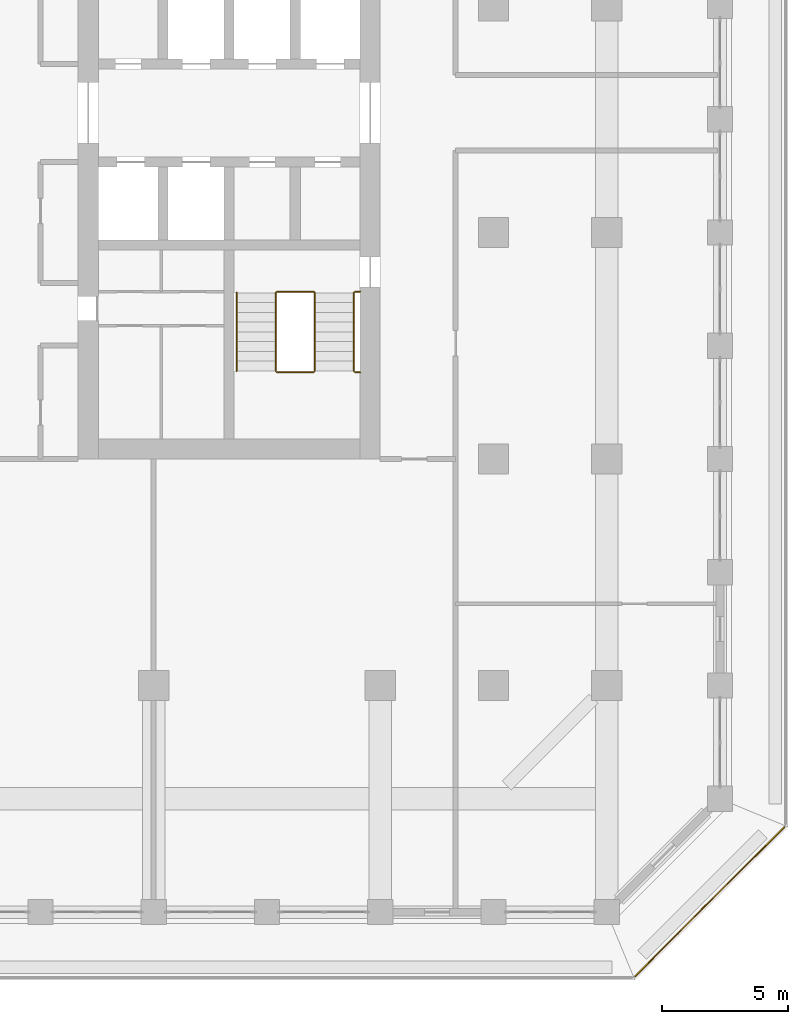
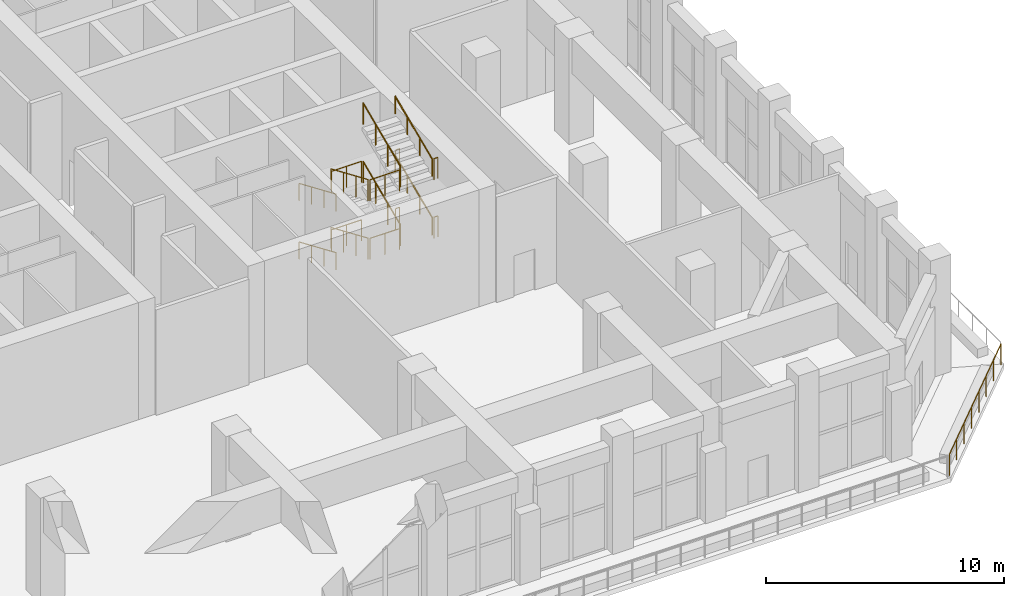
# One storey, part 20 of 25: 17 railings.
"""IFC4 building model written with IfcOpenShell, lengths in metres."""

from ifc_helpers import new_model, si_unit, direction, frame, origin, origin_2d, place, context, subcontext, project, spatial, circle, extrude, material, type_object, element, save


model = new_model("IFC4")

# Units and contexts
model_context = context("Model", 3, precision=1e-05, world=origin(), true_north=direction((0.0, 1.0)))
body_context = subcontext(model_context, "Body", "Model", "MODEL_VIEW")
ifc_project = project(units=[si_unit("LENGTHUNIT", "METRE"), si_unit("AREAUNIT", "SQUARE_METRE"), si_unit("VOLUMEUNIT", "CUBIC_METRE"), si_unit("PLANEANGLEUNIT", "RADIAN"), si_unit("MASSUNIT", "GRAM", prefix="KILO")], contexts=[model_context])

# Site, building, storey
site_placement = place(None, origin())
site = spatial("IfcSite", under=ifc_project, at=site_placement, CompositionType="ELEMENT")
building_placement = place(site_placement, origin())
building = spatial("IfcBuilding", under=site, at=building_placement, Name="Corbel Stack Research Tower", CompositionType="ELEMENT")
storey_placement = place(building_placement, frame((0.0, 0.0, 220.199951171875)))
storey = spatial("IfcBuildingStorey", under=building, at=storey_placement, Name="L50", CompositionType="ELEMENT", Elevation=220.199951171875)

# Railings
ifc_material_1 = material(Name="Steel S355", Category="steel")
railing_type_1 = type_object("IfcRailingType", Name="Stair guard 1100", PredefinedType="GUARDRAIL", material=ifc_material_1)
railing_1_placement = place(storey_placement, frame((13.85009765625, -2.39990234375, 0.166748046875)))
element("IfcRailing", 1, at=railing_1_placement, inside=storey, type_object=railing_type_1, Name="L50 ST-E1 stair guard 1", PredefinedType="GUARDRAIL", context=body_context, shape_type="SweptSolid", body=[
    extrude(circle(Radius=0.02392578125, at=origin_2d()), frame((0.0, 0.0, 1.076171875), z_axis=(0.0, -0.918826996994, 0.394660549834), x_axis=(1.0, 0.0, 0.0)), (0.0, 0.0, 1.0), 3.378173828125),
    extrude(circle(Radius=0.02099609375, at=origin_2d()), origin(), (0.0, 0.0, 1.0), 1.052001953125),
    extrude(circle(Radius=0.02099609375, at=origin_2d()), frame((0.0, -1.03466796875, 0.4443359375)), (0.0, 0.0, 1.0), 1.052001953125),
    extrude(circle(Radius=0.02099609375, at=origin_2d()), frame((0.0, -2.0693359375, 0.888916015625)), (0.0, 0.0, 1.0), 1.052001953125),
    extrude(circle(Radius=0.02099609375, at=origin_2d()), frame((0.0, -3.10400390625, 1.333251953125)), (0.0, 0.0, 1.0), 1.052001953125),
])
railing_2_placement = place(storey_placement, frame((13.89990234375, -5.553955078125, 1.5)))
element("IfcRailing", 2, at=railing_2_placement, inside=storey, type_object=railing_type_1, Name="L50 ST-E1 stair guard 2", PredefinedType="GUARDRAIL", context=body_context, shape_type="SweptSolid", body=[
    extrude(circle(Radius=0.02392578125, at=origin_2d()), frame((0.0, 0.0, 1.076171875), z_axis=(1.0, 0.0, 0.0), x_axis=(0.0, 1.0, 0.0)), (0.0, 0.0, 1.0), 1.4501953125),
    extrude(circle(Radius=0.02099609375, at=origin_2d()), origin(), (0.0, 0.0, 1.0), 1.052001953125),
    extrude(circle(Radius=0.02099609375, at=origin_2d()), frame((0.72509765625, 0.0, 0.0)), (0.0, 0.0, 1.0), 1.052001953125),
    extrude(circle(Radius=0.02099609375, at=origin_2d()), frame((1.4501953125, 0.0, 0.0)), (0.0, 0.0, 1.0), 1.052001953125),
])
railing_3_placement = place(storey_placement, frame((17.0, -5.553955078125, 1.5)))
element("IfcRailing", 3, at=railing_3_placement, inside=storey, type_object=railing_type_1, Name="L50 ST-E1 stair guard 3", PredefinedType="GUARDRAIL", context=body_context, shape_type="SweptSolid", body=[
    extrude(circle(Radius=0.02392578125, at=origin_2d()), frame((0.0, 0.0, 1.076171875), z_axis=(1.0, 0.0, 0.0), x_axis=(0.0, 1.0, 0.0)), (0.0, 0.0, 1.0), 0.199951171875),
    extrude(circle(Radius=0.02099609375, at=origin_2d()), origin(), (0.0, 0.0, 1.0), 1.052001953125),
    extrude(circle(Radius=0.02099609375, at=origin_2d()), frame((0.199951171875, 0.0, 0.0)), (0.0, 0.0, 1.0), 1.052001953125),
])
railing_4_placement = place(storey_placement, frame((15.39990234375, -5.50390625, 1.666748046875)))
element("IfcRailing", 4, at=railing_4_placement, inside=storey, type_object=railing_type_1, Name="L50 ST-E1 stair guard 4", PredefinedType="GUARDRAIL", context=body_context, shape_type="SweptSolid", body=[
    extrude(circle(Radius=0.02392578125, at=origin_2d()), frame((0.0, 0.0, 1.076171875), z_axis=(0.0, 0.918826996994, 0.394660549834), x_axis=(-1.0, 0.0, 0.0)), (0.0, 0.0, 1.0), 3.378173828125),
    extrude(circle(Radius=0.02099609375, at=origin_2d()), origin(), (0.0, 0.0, 1.0), 1.052001953125),
    extrude(circle(Radius=0.02099609375, at=origin_2d()), frame((0.0, 1.03466796875, 0.4443359375)), (0.0, 0.0, 1.0), 1.052001953125),
    extrude(circle(Radius=0.02099609375, at=origin_2d()), frame((0.0, 2.0693359375, 0.888916015625)), (0.0, 0.0, 1.0), 1.052001953125),
    extrude(circle(Radius=0.02099609375, at=origin_2d()), frame((0.0, 3.10400390625, 1.333251953125)), (0.0, 0.0, 1.0), 1.052001953125),
])
railing_5_placement = place(storey_placement, frame((13.89990234375, -2.35009765625, 3.0)))
element("IfcRailing", 5, at=railing_5_placement, inside=storey, type_object=railing_type_1, Name="L50 ST-E1 stair guard 5", PredefinedType="GUARDRAIL", context=body_context, shape_type="SweptSolid", body=[
    extrude(circle(Radius=0.02392578125, at=origin_2d()), frame((0.0, 0.0, 1.076171875), z_axis=(1.0, 0.0, 0.0), x_axis=(0.0, 1.0, 0.0)), (0.0, 0.0, 1.0), 1.4501953125),
    extrude(circle(Radius=0.02099609375, at=origin_2d()), origin(), (0.0, 0.0, 1.0), 1.052001953125),
    extrude(circle(Radius=0.02099609375, at=origin_2d()), frame((0.72509765625, 0.0, 0.0)), (0.0, 0.0, 1.0), 1.052001953125),
    extrude(circle(Radius=0.02099609375, at=origin_2d()), frame((1.4501953125, 0.0, 0.0)), (0.0, 0.0, 1.0), 1.052001953125),
])
railing_6_placement = place(storey_placement, frame((17.0, -2.35009765625, 3.0)))
element("IfcRailing", 6, at=railing_6_placement, inside=storey, type_object=railing_type_1, Name="L50 ST-E1 stair guard 6", PredefinedType="GUARDRAIL", context=body_context, shape_type="SweptSolid", body=[
    extrude(circle(Radius=0.02392578125, at=origin_2d()), frame((0.0, 0.0, 1.076171875), z_axis=(1.0, 0.0, 0.0), x_axis=(0.0, 1.0, 0.0)), (0.0, 0.0, 1.0), 0.199951171875),
    extrude(circle(Radius=0.02099609375, at=origin_2d()), origin(), (0.0, 0.0, 1.0), 1.052001953125),
    extrude(circle(Radius=0.02099609375, at=origin_2d()), frame((0.199951171875, 0.0, 0.0)), (0.0, 0.0, 1.0), 1.052001953125),
])
railing_7_placement = place(storey_placement, frame((13.85009765625, -2.39990234375, 3.166748046875)))
element("IfcRailing", 7, at=railing_7_placement, inside=storey, type_object=railing_type_1, Name="L50 ST-E1 stair guard 7", PredefinedType="GUARDRAIL", context=body_context, shape_type="SweptSolid", body=[
    extrude(circle(Radius=0.02392578125, at=origin_2d()), frame((0.0, 0.0, 1.076171875), z_axis=(0.0, -0.918826996994, 0.394660549834), x_axis=(1.0, 0.0, 0.0)), (0.0, 0.0, 1.0), 3.378173828125),
    extrude(circle(Radius=0.02099609375, at=origin_2d()), origin(), (0.0, 0.0, 1.0), 1.052001953125),
    extrude(circle(Radius=0.02099609375, at=origin_2d()), frame((0.0, -1.03466796875, 0.4443359375)), (0.0, 0.0, 1.0), 1.052001953125),
    extrude(circle(Radius=0.02099609375, at=origin_2d()), frame((0.0, -2.0693359375, 0.888916015625)), (0.0, 0.0, 1.0), 1.052001953125),
    extrude(circle(Radius=0.02099609375, at=origin_2d()), frame((0.0, -3.10400390625, 1.333251953125)), (0.0, 0.0, 1.0), 1.052001953125),
])
railing_8_placement = place(storey_placement, frame((13.89990234375, -5.553955078125, 4.5)))
element("IfcRailing", 8, at=railing_8_placement, inside=storey, type_object=railing_type_1, Name="L50 ST-E1 stair guard 8", PredefinedType="GUARDRAIL", context=body_context, shape_type="SweptSolid", body=[
    extrude(circle(Radius=0.02392578125, at=origin_2d()), frame((0.0, 0.0, 1.076171875), z_axis=(1.0, 0.0, 0.0), x_axis=(0.0, 1.0, 0.0)), (0.0, 0.0, 1.0), 1.4501953125),
    extrude(circle(Radius=0.02099609375, at=origin_2d()), origin(), (0.0, 0.0, 1.0), 1.052001953125),
    extrude(circle(Radius=0.02099609375, at=origin_2d()), frame((0.72509765625, 0.0, 0.0)), (0.0, 0.0, 1.0), 1.052001953125),
    extrude(circle(Radius=0.02099609375, at=origin_2d()), frame((1.4501953125, 0.0, 0.0)), (0.0, 0.0, 1.0), 1.052001953125),
])
railing_9_placement = place(storey_placement, frame((17.0, -5.553955078125, 4.5)))
element("IfcRailing", 9, at=railing_9_placement, inside=storey, type_object=railing_type_1, Name="L50 ST-E1 stair guard 9", PredefinedType="GUARDRAIL", context=body_context, shape_type="SweptSolid", body=[
    extrude(circle(Radius=0.02392578125, at=origin_2d()), frame((0.0, 0.0, 1.076171875), z_axis=(1.0, 0.0, 0.0), x_axis=(0.0, 1.0, 0.0)), (0.0, 0.0, 1.0), 0.199951171875),
    extrude(circle(Radius=0.02099609375, at=origin_2d()), origin(), (0.0, 0.0, 1.0), 1.052001953125),
    extrude(circle(Radius=0.02099609375, at=origin_2d()), frame((0.199951171875, 0.0, 0.0)), (0.0, 0.0, 1.0), 1.052001953125),
])
railing_10_placement = place(storey_placement, frame((15.39990234375, -5.50390625, 4.666748046875)))
element("IfcRailing", 10, at=railing_10_placement, inside=storey, type_object=railing_type_1, Name="L50 ST-E1 stair guard 10", PredefinedType="GUARDRAIL", context=body_context, shape_type="SweptSolid", body=[
    extrude(circle(Radius=0.02392578125, at=origin_2d()), frame((0.0, 0.0, 1.076171875), z_axis=(0.0, 0.918826996994, 0.394660549834), x_axis=(-1.0, 0.0, 0.0)), (0.0, 0.0, 1.0), 3.378173828125),
    extrude(circle(Radius=0.02099609375, at=origin_2d()), origin(), (0.0, 0.0, 1.0), 1.052001953125),
    extrude(circle(Radius=0.02099609375, at=origin_2d()), frame((0.0, 1.03466796875, 0.4443359375)), (0.0, 0.0, 1.0), 1.052001953125),
    extrude(circle(Radius=0.02099609375, at=origin_2d()), frame((0.0, 2.0693359375, 0.888916015625)), (0.0, 0.0, 1.0), 1.052001953125),
    extrude(circle(Radius=0.02099609375, at=origin_2d()), frame((0.0, 3.10400390625, 1.333251953125)), (0.0, 0.0, 1.0), 1.052001953125),
])
railing_11_placement = place(storey_placement, frame((13.89990234375, -2.35009765625, 0.0)))
element("IfcRailing", 11, at=railing_11_placement, inside=storey, type_object=railing_type_1, Name="L50 ST-E1 stair guard 11", PredefinedType="GUARDRAIL", context=body_context, shape_type="SweptSolid", body=[
    extrude(circle(Radius=0.02392578125, at=origin_2d()), frame((0.0, 0.0, 1.076171875), z_axis=(1.0, 0.0, 0.0), x_axis=(0.0, 1.0, 0.0)), (0.0, 0.0, 1.0), 1.4501953125),
    extrude(circle(Radius=0.02099609375, at=origin_2d()), origin(), (0.0, 0.0, 1.0), 1.052001953125),
    extrude(circle(Radius=0.02099609375, at=origin_2d()), frame((0.72509765625, 0.0, 0.0)), (0.0, 0.0, 1.0), 1.052001953125),
    extrude(circle(Radius=0.02099609375, at=origin_2d()), frame((1.4501953125, 0.0, 0.0)), (0.0, 0.0, 1.0), 1.052001953125),
])
railing_12_placement = place(storey_placement, frame((17.0, -2.35009765625, 0.0)))
element("IfcRailing", 12, at=railing_12_placement, inside=storey, type_object=railing_type_1, Name="L50 ST-E1 stair guard 12", PredefinedType="GUARDRAIL", context=body_context, shape_type="SweptSolid", body=[
    extrude(circle(Radius=0.02392578125, at=origin_2d()), frame((0.0, 0.0, 1.076171875), z_axis=(1.0, 0.0, 0.0), x_axis=(0.0, 1.0, 0.0)), (0.0, 0.0, 1.0), 0.199951171875),
    extrude(circle(Radius=0.02099609375, at=origin_2d()), origin(), (0.0, 0.0, 1.0), 1.052001953125),
    extrude(circle(Radius=0.02099609375, at=origin_2d()), frame((0.199951171875, 0.0, 0.0)), (0.0, 0.0, 1.0), 1.052001953125),
])
ifc_material_2 = material(Name="Steel S355", Category="steel")
railing_type_2 = type_object("IfcRailingType", Name="Stair handrail 900", PredefinedType="HANDRAIL", material=ifc_material_2)
railing_13_placement = place(storey_placement, frame((12.300048828125, -2.39990234375, 0.166748046875)))
element("IfcRailing", 13, at=railing_13_placement, inside=storey, type_object=railing_type_2, Name="L50 ST-E1 stair handrail 1", PredefinedType="HANDRAIL", context=body_context, shape_type="SweptSolid", body=[
    extrude(circle(Radius=0.02392578125, at=origin_2d()), frame((0.0, 0.0, 0.8759765625), z_axis=(0.0, -0.918826996994, 0.394660549834), x_axis=(1.0, 0.0, 0.0)), (0.0, 0.0, 1.0), 3.378173828125),
    extrude(circle(Radius=0.02099609375, at=origin_2d()), origin(), (0.0, 0.0, 1.0), 0.851806640625),
    extrude(circle(Radius=0.02099609375, at=origin_2d()), frame((0.0, -1.03466796875, 0.4443359375)), (0.0, 0.0, 1.0), 0.851806640625),
    extrude(circle(Radius=0.02099609375, at=origin_2d()), frame((0.0, -2.0693359375, 0.888916015625)), (0.0, 0.0, 1.0), 0.851806640625),
    extrude(circle(Radius=0.02099609375, at=origin_2d()), frame((0.0, -3.10400390625, 1.333251953125)), (0.0, 0.0, 1.0), 0.851806640625),
])
railing_14_placement = place(storey_placement, frame((16.949951171875, -5.50390625, 1.666748046875)))
element("IfcRailing", 14, at=railing_14_placement, inside=storey, type_object=railing_type_2, Name="L50 ST-E1 stair handrail 2", PredefinedType="HANDRAIL", context=body_context, shape_type="SweptSolid", body=[
    extrude(circle(Radius=0.02392578125, at=origin_2d()), frame((0.0, 0.0, 0.8759765625), z_axis=(0.0, 0.918826996994, 0.394660549834), x_axis=(-1.0, 0.0, 0.0)), (0.0, 0.0, 1.0), 3.378173828125),
    extrude(circle(Radius=0.02099609375, at=origin_2d()), origin(), (0.0, 0.0, 1.0), 0.851806640625),
    extrude(circle(Radius=0.02099609375, at=origin_2d()), frame((0.0, 1.03466796875, 0.4443359375)), (0.0, 0.0, 1.0), 0.851806640625),
    extrude(circle(Radius=0.02099609375, at=origin_2d()), frame((0.0, 2.0693359375, 0.888916015625)), (0.0, 0.0, 1.0), 0.851806640625),
    extrude(circle(Radius=0.02099609375, at=origin_2d()), frame((0.0, 3.10400390625, 1.333251953125)), (0.0, 0.0, 1.0), 0.851806640625),
])
railing_15_placement = place(storey_placement, frame((12.300048828125, -2.39990234375, 3.166748046875)))
element("IfcRailing", 15, at=railing_15_placement, inside=storey, type_object=railing_type_2, Name="L50 ST-E1 stair handrail 3", PredefinedType="HANDRAIL", context=body_context, shape_type="SweptSolid", body=[
    extrude(circle(Radius=0.02392578125, at=origin_2d()), frame((0.0, 0.0, 0.8759765625), z_axis=(0.0, -0.918826996994, 0.394660549834), x_axis=(1.0, 0.0, 0.0)), (0.0, 0.0, 1.0), 3.378173828125),
    extrude(circle(Radius=0.02099609375, at=origin_2d()), origin(), (0.0, 0.0, 1.0), 0.851806640625),
    extrude(circle(Radius=0.02099609375, at=origin_2d()), frame((0.0, -1.03466796875, 0.4443359375)), (0.0, 0.0, 1.0), 0.851806640625),
    extrude(circle(Radius=0.02099609375, at=origin_2d()), frame((0.0, -2.0693359375, 0.888916015625)), (0.0, 0.0, 1.0), 0.851806640625),
    extrude(circle(Radius=0.02099609375, at=origin_2d()), frame((0.0, -3.10400390625, 1.333251953125)), (0.0, 0.0, 1.0), 0.851806640625),
])
railing_16_placement = place(storey_placement, frame((16.949951171875, -5.50390625, 4.666748046875)))
element("IfcRailing", 16, at=railing_16_placement, inside=storey, type_object=railing_type_2, Name="L50 ST-E1 stair handrail 4", PredefinedType="HANDRAIL", context=body_context, shape_type="SweptSolid", body=[
    extrude(circle(Radius=0.02392578125, at=origin_2d()), frame((0.0, 0.0, 0.8759765625), z_axis=(0.0, 0.918826996994, 0.394660549834), x_axis=(-1.0, 0.0, 0.0)), (0.0, 0.0, 1.0), 3.378173828125),
    extrude(circle(Radius=0.02099609375, at=origin_2d()), origin(), (0.0, 0.0, 1.0), 0.851806640625),
    extrude(circle(Radius=0.02099609375, at=origin_2d()), frame((0.0, 1.03466796875, 0.4443359375)), (0.0, 0.0, 1.0), 0.851806640625),
    extrude(circle(Radius=0.02099609375, at=origin_2d()), frame((0.0, 2.0693359375, 0.888916015625)), (0.0, 0.0, 1.0), 0.851806640625),
    extrude(circle(Radius=0.02099609375, at=origin_2d()), frame((0.0, 3.10400390625, 1.333251953125)), (0.0, 0.0, 1.0), 0.851806640625),
])
ifc_material_3 = material(Name="Powder-coated steel guard", Category="steel")
railing_type_3 = type_object("IfcRailingType", Name="Steel and glass guard 1100", PredefinedType="GUARDRAIL", material=ifc_material_3)
railing_17_placement = place(storey_placement, frame((28.127685546875, -29.54931640625, 0.0)))
element("IfcRailing", 17, at=railing_17_placement, inside=storey, type_object=railing_type_3, Name="Loggia guard L50 SE", PredefinedType="GUARDRAIL", context=body_context, shape_type="SweptSolid", body=[
    extrude(circle(Radius=0.02392578125, at=origin_2d()), frame((0.0, 0.0, 1.076171875), z_axis=(0.707106781187, 0.707106781187, 0.0), x_axis=(-0.707106781187, 0.707106781187, 0.0)), (0.0, 0.0, 1.0), 8.37451171875),
    extrude(circle(Radius=0.02099609375, at=origin_2d()), origin(), (0.0, 0.0, 1.0), 1.052001953125),
    extrude(circle(Radius=0.02099609375, at=origin_2d()), frame((0.845947265625, 0.845947265625, 0.0)), (0.0, 0.0, 1.0), 1.052001953125),
    extrude(circle(Radius=0.02099609375, at=origin_2d()), frame((1.69189453125, 1.69189453125, 0.0)), (0.0, 0.0, 1.0), 1.052001953125),
    extrude(circle(Radius=0.02099609375, at=origin_2d()), frame((2.537841796875, 2.537841796875, 0.0)), (0.0, 0.0, 1.0), 1.052001953125),
    extrude(circle(Radius=0.02099609375, at=origin_2d()), frame((3.3837890625, 3.3837890625, 0.0)), (0.0, 0.0, 1.0), 1.052001953125),
    extrude(circle(Radius=0.02099609375, at=origin_2d()), frame((4.229736328125, 4.229736328125, 0.0)), (0.0, 0.0, 1.0), 1.052001953125),
    extrude(circle(Radius=0.02099609375, at=origin_2d()), frame((5.07568359375, 5.07568359375, 0.0)), (0.0, 0.0, 1.0), 1.052001953125),
    extrude(circle(Radius=0.02099609375, at=origin_2d()), frame((5.921630859375, 5.921630859375, 0.0)), (0.0, 0.0, 1.0), 1.052001953125),
])

save(model, "model.ifc")
